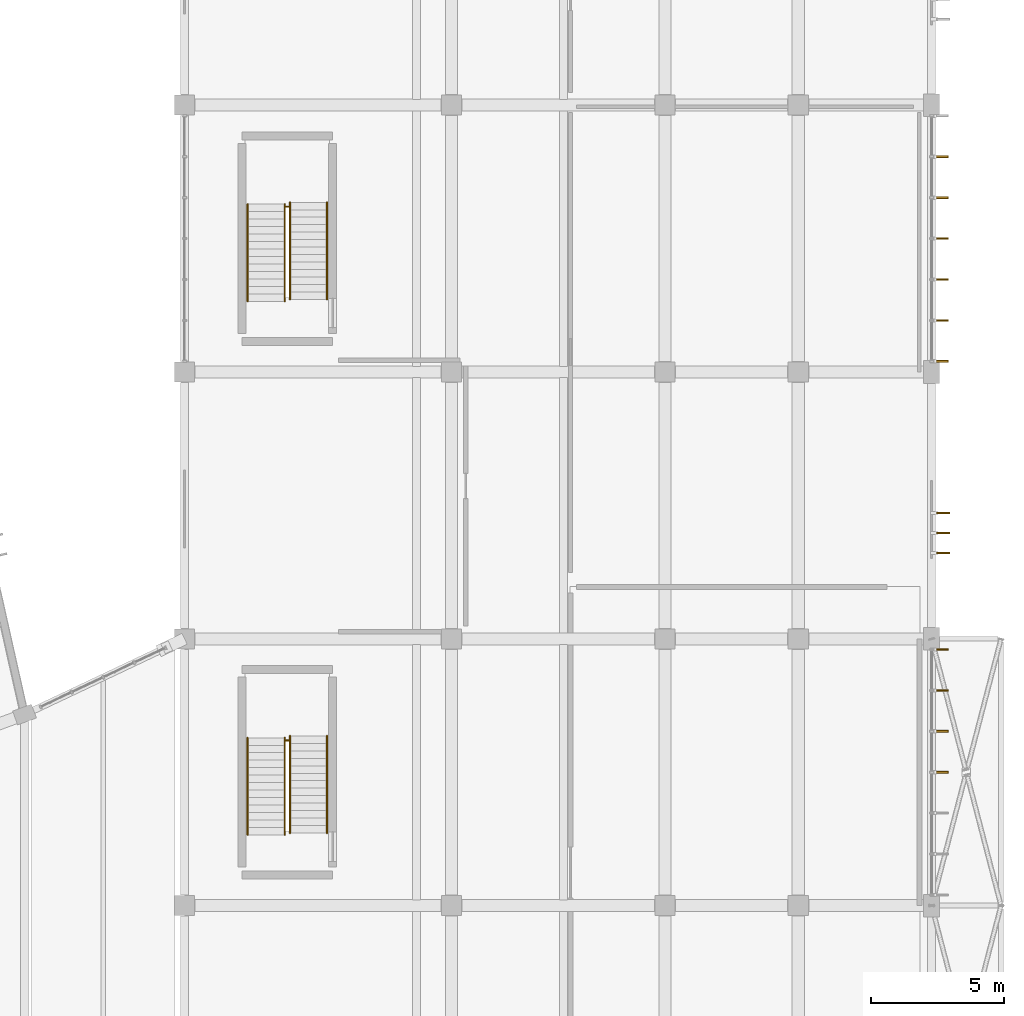
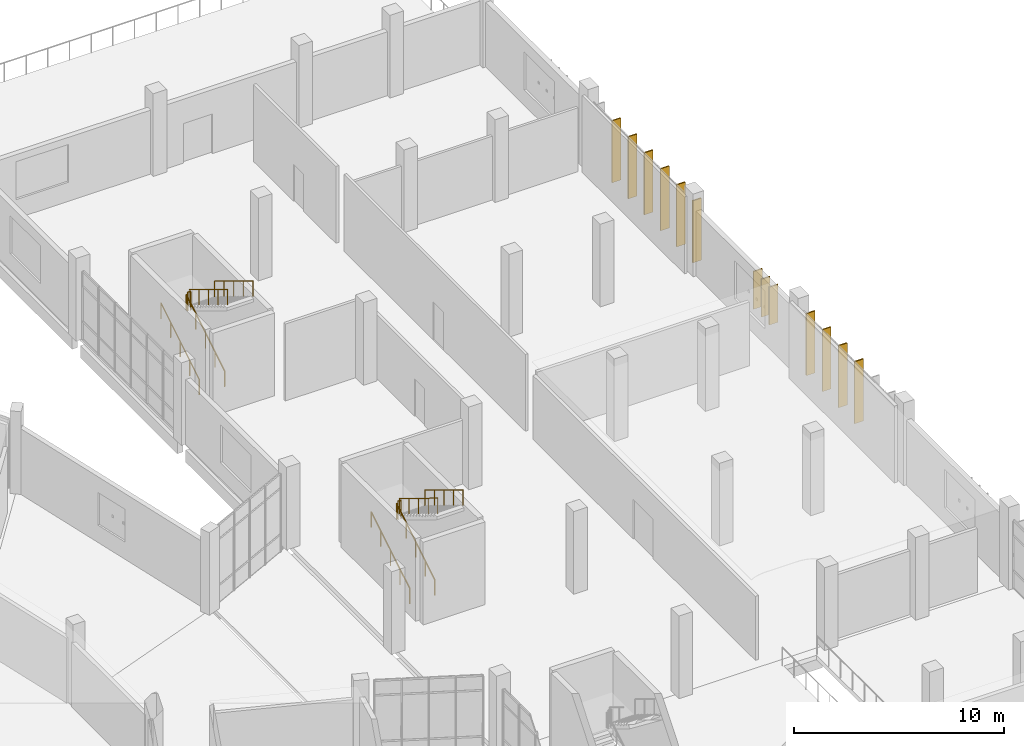
# One storey, part 175 of 179: 13 shading devices, 10 railings.
"""IFC4 building model written with IfcOpenShell, lengths in metres."""

from ifc_helpers import new_model, si_unit, direction, frame, origin, origin_2d, place, context, subcontext, project, spatial, rectangle, circle, extrude, material, layer, layer_set, type_object, element, save


model = new_model("IFC4")

# Units and contexts
model_context = context("Model", 3, precision=1e-05, world=origin(), true_north=direction((0.0, 1.0)))
body_context = subcontext(model_context, "Body", "Model", "MODEL_VIEW")
ifc_project = project(units=[si_unit("LENGTHUNIT", "METRE"), si_unit("AREAUNIT", "SQUARE_METRE"), si_unit("VOLUMEUNIT", "CUBIC_METRE"), si_unit("PLANEANGLEUNIT", "RADIAN"), si_unit("MASSUNIT", "GRAM", prefix="KILO")], contexts=[model_context])

# Site, building, storey
site_placement = place(None, origin())
site = spatial("IfcSite", under=ifc_project, at=site_placement, CompositionType="ELEMENT")
building_placement = place(site_placement, origin())
building = spatial("IfcBuilding", under=site, at=building_placement, Name="Corvandel Quay Wholesale Market", CompositionType="ELEMENT")
storey_placement = place(building_placement, frame((0.0, 0.0, 6.0)))
storey = spatial("IfcBuildingStorey", under=building, at=storey_placement, Name="L01", CompositionType="ELEMENT", Elevation=6.0)

# Railings
ifc_material_1 = material(Name="Painted galvanised tubular steel", Category="steel")
ifc_layer_1 = layer(ifc_material_1, 0.054931640625)
ifc_layer_set_1 = layer_set([ifc_layer_1], Name="Painted galvanised tubular steel")
railing_type_1 = type_object("IfcRailingType", Name="Stairwell Inner Guard Railing GR02 1100mm", PredefinedType="GUARDRAIL", material=ifc_layer_set_1)
for number, where, name in (
    (1, (223.77001953125, 66.18994140625, 2.39990234375), "Stair Landing Well Guard 0183"),
    (2, (223.77001953125, 86.18994140625, 2.39990234375), "Stair Landing Well Guard 0215"),
):
    element("IfcRailing", number, at=place(storey_placement, frame(where)), inside=storey, type_object=railing_type_1, Name=name, PredefinedType="GUARDRAIL", context=body_context, shape_type="SweptSolid", body=[
        extrude(circle(Radius=0.02392578125, at=origin_2d()), frame((0.0, 0.0, 1.076171875), z_axis=(1.0, 0.0, 0.0), x_axis=(0.0, 1.0, 0.0)), (0.0, 0.0, 1.0), 0.159912109375),
        extrude(circle(Radius=0.02099609375, at=origin_2d()), origin(), (0.0, 0.0, 1.0), 1.052001953125),
        extrude(circle(Radius=0.02099609375, at=origin_2d()), frame((0.159912109375, 0.0, 0.0)), (0.0, 0.0, 1.0), 1.052001953125),
    ])
ifc_material_2 = material(Name="Brushed austenitic stainless steel Grade 316", Category="steel")
ifc_layer_2 = layer(ifc_material_2, 0.048095703125)
ifc_layer_set_2 = layer_set([ifc_layer_2], Name="Brushed austenitic stainless steel Grade 316")
railing_type_2 = type_object("IfcRailingType", Name="Tubular Stainless Stair Handrail HR01 915mm", PredefinedType="HANDRAIL", material=ifc_layer_set_2)
for number, where, name in (
    (3, (222.360107421875, 62.64990234375, 0.17138671875), "Stair Handrail 0179"),
    (4, (223.75, 62.64990234375, 0.17138671875), "Stair Handrail 0180"),
):
    element("IfcRailing", number, at=place(storey_placement, frame(where)), inside=storey, type_object=railing_type_2, Name=name, PredefinedType="HANDRAIL", context=body_context, shape_type="SweptSolid", body=[
        extrude(circle(Radius=0.02392578125, at=origin_2d()), frame((0.0, 0.0, 0.89111328125), z_axis=(0.0, 0.852865859571, 0.52213008492), x_axis=(-1.0, 0.0, 0.0)), (0.0, 0.0, 1.0), 4.26806640625),
        extrude(circle(Radius=0.02099609375, at=origin_2d()), origin(), (0.0, 0.0, 1.0), 0.866943359375),
        extrude(circle(Radius=0.02099609375, at=origin_2d()), frame((0.0, 0.91015625, 0.55712890625)), (0.0, 0.0, 1.0), 0.866943359375),
        extrude(circle(Radius=0.02099609375, at=origin_2d()), frame((0.0, 1.820068359375, 1.1142578125)), (0.0, 0.0, 1.0), 0.866943359375),
        extrude(circle(Radius=0.02099609375, at=origin_2d()), frame((0.0, 2.72998046875, 1.67138671875)), (0.0, 0.0, 1.0), 0.866943359375),
        extrude(circle(Radius=0.02099609375, at=origin_2d()), frame((0.0, 3.64013671875, 2.228515625)), (0.0, 0.0, 1.0), 0.866943359375),
    ])
for number, where, name in (
    (5, (223.949951171875, 66.360107421875, 2.5712890625), "Stair Handrail 0181"),
    (6, (225.340087890625, 66.360107421875, 2.5712890625), "Stair Handrail 0182"),
):
    element("IfcRailing", number, at=place(storey_placement, frame(where)), inside=storey, type_object=railing_type_2, Name=name, PredefinedType="HANDRAIL", context=body_context, shape_type="SweptSolid", body=[
        extrude(circle(Radius=0.02392578125, at=origin_2d()), frame((0.0, 0.0, 0.89111328125), z_axis=(0.0, -0.852840387347, 0.522171689878), x_axis=(1.0, 0.0, 0.0)), (0.0, 0.0, 1.0), 4.268310546875),
        extrude(circle(Radius=0.02099609375, at=origin_2d()), origin(), (0.0, 0.0, 1.0), 0.866943359375),
        extrude(circle(Radius=0.02099609375, at=origin_2d()), frame((0.0, -0.91015625, 0.55712890625)), (0.0, 0.0, 1.0), 0.866943359375),
        extrude(circle(Radius=0.02099609375, at=origin_2d()), frame((0.0, -1.820068359375, 1.1142578125)), (0.0, 0.0, 1.0), 0.866943359375),
        extrude(circle(Radius=0.02099609375, at=origin_2d()), frame((0.0, -2.72998046875, 1.671630859375)), (0.0, 0.0, 1.0), 0.866943359375),
        extrude(circle(Radius=0.02099609375, at=origin_2d()), frame((0.0, -3.64013671875, 2.228759765625)), (0.0, 0.0, 1.0), 0.866943359375),
    ])
for number, where, name in (
    (7, (222.360107421875, 82.64990234375, 0.17138671875), "Stair Handrail 0211"),
    (8, (223.75, 82.64990234375, 0.17138671875), "Stair Handrail 0212"),
):
    element("IfcRailing", number, at=place(storey_placement, frame(where)), inside=storey, type_object=railing_type_2, Name=name, PredefinedType="HANDRAIL", context=body_context, shape_type="SweptSolid", body=[
        extrude(circle(Radius=0.02392578125, at=origin_2d()), frame((0.0, 0.0, 0.89111328125), z_axis=(0.0, 0.852865859571, 0.52213008492), x_axis=(-1.0, 0.0, 0.0)), (0.0, 0.0, 1.0), 4.26806640625),
        extrude(circle(Radius=0.02099609375, at=origin_2d()), origin(), (0.0, 0.0, 1.0), 0.866943359375),
        extrude(circle(Radius=0.02099609375, at=origin_2d()), frame((0.0, 0.91015625, 0.55712890625)), (0.0, 0.0, 1.0), 0.866943359375),
        extrude(circle(Radius=0.02099609375, at=origin_2d()), frame((0.0, 1.820068359375, 1.1142578125)), (0.0, 0.0, 1.0), 0.866943359375),
        extrude(circle(Radius=0.02099609375, at=origin_2d()), frame((0.0, 2.72998046875, 1.67138671875)), (0.0, 0.0, 1.0), 0.866943359375),
        extrude(circle(Radius=0.02099609375, at=origin_2d()), frame((0.0, 3.64013671875, 2.228515625)), (0.0, 0.0, 1.0), 0.866943359375),
    ])
for number, where, name in (
    (9, (223.949951171875, 86.360107421875, 2.5712890625), "Stair Handrail 0213"),
    (10, (225.340087890625, 86.360107421875, 2.5712890625), "Stair Handrail 0214"),
):
    element("IfcRailing", number, at=place(storey_placement, frame(where)), inside=storey, type_object=railing_type_2, Name=name, PredefinedType="HANDRAIL", context=body_context, shape_type="SweptSolid", body=[
        extrude(circle(Radius=0.02392578125, at=origin_2d()), frame((0.0, 0.0, 0.89111328125), z_axis=(0.0, -0.852840387347, 0.522171689878), x_axis=(1.0, 0.0, 0.0)), (0.0, 0.0, 1.0), 4.268310546875),
        extrude(circle(Radius=0.02099609375, at=origin_2d()), origin(), (0.0, 0.0, 1.0), 0.866943359375),
        extrude(circle(Radius=0.02099609375, at=origin_2d()), frame((0.0, -0.91015625, 0.55712890625)), (0.0, 0.0, 1.0), 0.866943359375),
        extrude(circle(Radius=0.02099609375, at=origin_2d()), frame((0.0, -1.820068359375, 1.1142578125)), (0.0, 0.0, 1.0), 0.866943359375),
        extrude(circle(Radius=0.02099609375, at=origin_2d()), frame((0.0, -2.72998046875, 1.671630859375)), (0.0, 0.0, 1.0), 0.866943359375),
        extrude(circle(Radius=0.02099609375, at=origin_2d()), frame((0.0, -3.64013671875, 2.228759765625)), (0.0, 0.0, 1.0), 0.866943359375),
    ])

# Shading devices
ifc_material_3 = material(Name="Bronze anodised extruded aluminium 6063-T6", Category="aluminium")
shading_device_type = type_object("IfcShadingDeviceType", Name="Vertical Anodised Bronze Solar Fin FN01 480mm", PredefinedType="JALOUSIE", material=ifc_material_3)
for number, where, z_axis, x_axis, name in (
    (11, (248.3798828125, 65.0, 0.175048828125), (0.0, 0.0, 1.0), (1.0, 0.0, 0.0), "Solar Fin 0662"),
    (12, (248.3798828125, 66.533203125, 0.175048828125), (0.0, 0.0, 1.0), (1.0, 0.0, 0.0), "Solar Fin 0663"),
    (13, (248.3798828125, 68.066650390625, 0.175048828125), (0.0, 0.0, 1.0), (1.0, 0.0, 0.0), "Solar Fin 0664"),
    (14, (248.3798828125, 69.60009765625, 0.175048828125), (0.0, 0.0, 1.0), (1.0, 0.0, 0.0), "Solar Fin 0665"),
):
    element("IfcShadingDevice", number, at=place(storey_placement, frame(where, z_axis=z_axis, x_axis=x_axis)), inside=storey, type_object=shading_device_type, Name=name, PredefinedType="JALOUSIE", context=body_context, shape_type="SweptSolid", body=[
        extrude(rectangle(XDim=0.47998046875, YDim=0.06494140625, at=origin_2d()), origin(), (0.0, 0.0, 1.0), 3.60009765625),
    ])
for number, where, z_axis, x_axis, name in (
    (15, (248.43994140625, 73.219970703125, 0.89990234375), (0.0, 0.0, 1.0), (1.0, 0.0, 0.0), "Solar Fin 0666"),
    (16, (248.43994140625, 73.969970703125, 0.89990234375), (0.0, 0.0, 1.0), (1.0, 0.0, 0.0), "Solar Fin 0667"),
    (17, (248.43994140625, 74.719970703125, 0.89990234375), (0.0, 0.0, 1.0), (1.0, 0.0, 0.0), "Solar Fin 0668"),
):
    element("IfcShadingDevice", number, at=place(storey_placement, frame(where, z_axis=z_axis, x_axis=x_axis)), inside=storey, type_object=shading_device_type, Name=name, PredefinedType="JALOUSIE", context=body_context, shape_type="SweptSolid", body=[
        extrude(rectangle(XDim=0.47998046875, YDim=0.06494140625, at=origin_2d()), origin(), (0.0, 0.0, 1.0), 2.199951171875),
    ])
for number, where, z_axis, x_axis, name in (
    (18, (248.3798828125, 80.39990234375, 0.175048828125), (0.0, 0.0, 1.0), (1.0, 0.0, 0.0), "Solar Fin 0669"),
    (19, (248.3798828125, 81.933349609375, 0.175048828125), (0.0, 0.0, 1.0), (1.0, 0.0, 0.0), "Solar Fin 0670"),
    (20, (248.3798828125, 83.466796875, 0.175048828125), (0.0, 0.0, 1.0), (1.0, 0.0, 0.0), "Solar Fin 0671"),
    (21, (248.3798828125, 85.0, 0.175048828125), (0.0, 0.0, 1.0), (1.0, 0.0, 0.0), "Solar Fin 0672"),
    (22, (248.3798828125, 86.533203125, 0.175048828125), (0.0, 0.0, 1.0), (1.0, 0.0, 0.0), "Solar Fin 0673"),
    (23, (248.3798828125, 88.066650390625, 0.175048828125), (0.0, 0.0, 1.0), (1.0, 0.0, 0.0), "Solar Fin 0674"),
):
    element("IfcShadingDevice", number, at=place(storey_placement, frame(where, z_axis=z_axis, x_axis=x_axis)), inside=storey, type_object=shading_device_type, Name=name, PredefinedType="JALOUSIE", context=body_context, shape_type="SweptSolid", body=[
        extrude(rectangle(XDim=0.47998046875, YDim=0.06494140625, at=origin_2d()), origin(), (0.0, 0.0, 1.0), 3.60009765625),
    ])

save(model, "model.ifc")
